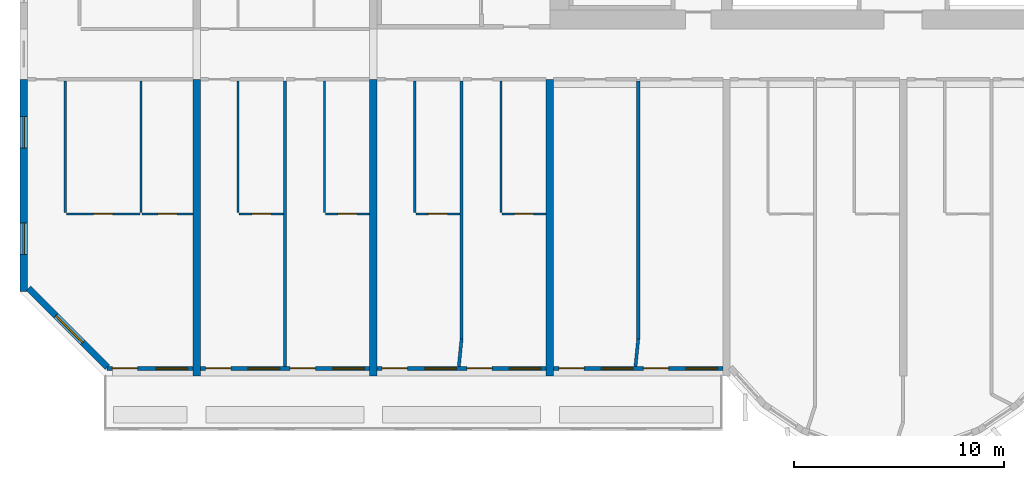
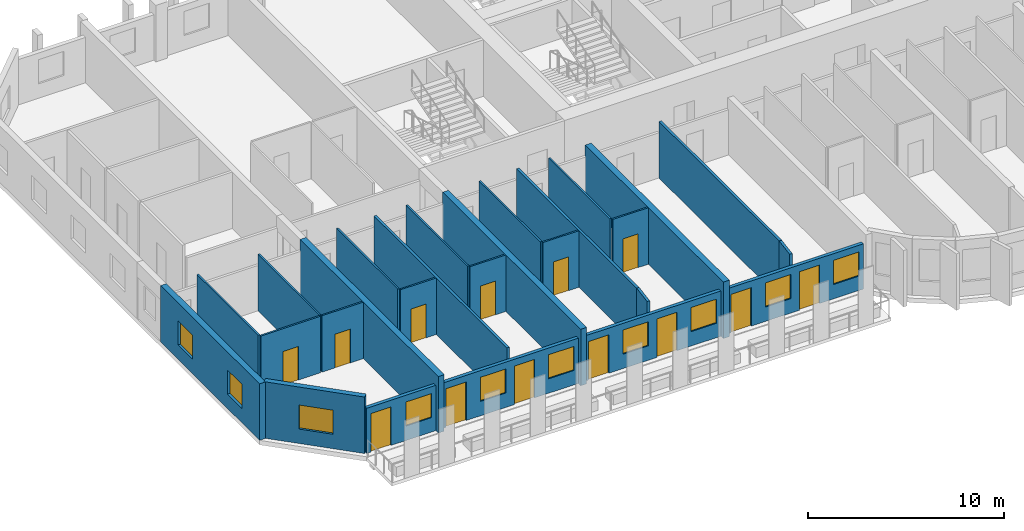
# One storey, part 2 of 14: 26 walls, 13 doors, 10 windows, 23 openings.
"""IFC4 building model written with IfcOpenShell, lengths in metres."""

from ifc_helpers import new_model, si_unit, direction, frame, frame_2d, origin, place, context, subcontext, project, spatial, rectangle, extrude, source, transform, mapped, material, layer, layer_set, type_object, element, fill, save


model = new_model("IFC4")

# Units and contexts
model_context = context("Model", 3, precision=1e-05, world=origin(), true_north=direction((0.0, 1.0)))
body_context = subcontext(model_context, "Body", "Model", "MODEL_VIEW")
ifc_project = project(units=[si_unit("LENGTHUNIT", "METRE"), si_unit("AREAUNIT", "SQUARE_METRE"), si_unit("VOLUMEUNIT", "CUBIC_METRE"), si_unit("PLANEANGLEUNIT", "RADIAN"), si_unit("MASSUNIT", "GRAM", prefix="KILO")], contexts=[model_context])

# Site, building, storey
site_placement = place(None, origin())
site = spatial("IfcSite", under=ifc_project, at=site_placement, CompositionType="ELEMENT")
building_placement = place(site_placement, origin())
building = spatial("IfcBuilding", under=site, at=building_placement, Name="Vanashikhar Sky Hotel", CompositionType="ELEMENT")
storey_placement = place(building_placement, frame((0.0, 0.0, 129.39990234375)))
storey = spatial("IfcBuildingStorey", under=building, at=storey_placement, Name="L31", CompositionType="ELEMENT", Elevation=129.39990234375)

# Wall, openings, windows
ifc_material_1 = material(Name="Concrete M70", Category="concrete")
ifc_layer_1 = layer(ifc_material_1, 0.35009765625)
ifc_layer_set_1 = layer_set([ifc_layer_1], Name="RC shear wall 350 Concrete M70")
wall_type_1 = type_object("IfcWallType", Name="RC shear wall 350 Concrete M70", PredefinedType="SHEAR", material=ifc_layer_set_1)
shared_shape_1 = source(origin(), body_context, "Body", "SweptSolid", [
    extrude(rectangle(XDim=10.10009765625, YDim=0.35009765625, at=frame_2d((5.050048828125, 0.0))), origin(), (0.0, 0.0, 1.0), 3.52001953125),
])
wall_1_placement = place(storey_placement, frame((0.175048828125, 9.5, 0.0), z_axis=(0.0, 0.0, 1.0), x_axis=(0.0, 1.0, 0.0)))
wall_1 = element("IfcWall", 1, at=wall_1_placement, inside=storey, type_object=wall_type_1, Name="CW-L31-XW01-1", PredefinedType="SHEAR", context=body_context, shape_type="MappedRepresentation", body=[
    mapped(shared_shape_1, transform((0.0, 0.0, 0.0), scale=1.0)),
])
shared_shape_2 = source(origin(), body_context, "Body", "SweptSolid", [
    extrude(rectangle(XDim=1.5, YDim=1.5, at=frame_2d((0.75, 0.75))), frame((0.0, 0.18505859375, 0.0), z_axis=(0.0, -1.0, 0.0), x_axis=(1.0, 0.0, 0.0)), (0.0, 0.0, 1.0), 0.3701171875),
])
opening_1_placement = place(wall_1_placement, frame((1.77490234375, 0.0, 0.89990234375)))
opening_1 = element("IfcOpeningElement", 2, at=opening_1_placement, cuts=wall_1, Name="Opening WN-1", PredefinedType="OPENING", context=body_context, shape_type="MappedRepresentation", body=[
    mapped(shared_shape_2, transform((0.0, 0.0, 0.0), scale=1.0)),
])
opening_2_placement = place(wall_1_placement, frame((6.824951171875, 0.0, 0.89990234375)))
opening_2 = element("IfcOpeningElement", 3, at=opening_2_placement, cuts=wall_1, Name="Opening WN-1", PredefinedType="OPENING", context=body_context, shape_type="MappedRepresentation", body=[
    mapped(shared_shape_2, transform((0.0, 0.0, 0.0), scale=1.0)),
])
ifc_material_2 = material(Name="Glass", Category="glass")
window_type_1 = type_object("IfcWindowType", Name="Window 1500 x 1500", PartitioningType="SINGLE_PANEL", PredefinedType="WINDOW", material=ifc_material_2)
shared_shape_3 = source(origin(), body_context, "Body", "SweptSolid", [
    extrude(rectangle(XDim=1.5, YDim=1.5, at=frame_2d((0.75, 0.75))), frame((0.0, 0.030029296875, 0.0), z_axis=(0.0, -1.0, 0.0), x_axis=(1.0, 0.0, 0.0)), (0.0, 0.0, 1.0), 0.06005859375),
])
window_1_placement = place(opening_1_placement, origin())
window_1 = element("IfcWindow", 4, at=window_1_placement, inside=storey, type_object=window_type_1, Name="Window WN-1", OverallHeight=1.5, OverallWidth=1.5, PartitioningType="SINGLE_PANEL", PredefinedType="WINDOW", context=body_context, shape_type="MappedRepresentation", body=[
    mapped(shared_shape_3, transform((0.0, 0.0, 0.0), scale=1.0)),
])
fill(opening_1, window_1)
window_2_placement = place(opening_2_placement, origin())
window_2 = element("IfcWindow", 5, at=window_2_placement, inside=storey, type_object=window_type_1, Name="Window WN-1", OverallHeight=1.5, OverallWidth=1.5, PartitioningType="SINGLE_PANEL", PredefinedType="WINDOW", context=body_context, shape_type="MappedRepresentation", body=[
    mapped(shared_shape_3, transform((0.0, 0.0, 0.0), scale=1.0)),
])
fill(opening_2, window_2)

# Walls
shared_shape_4 = source(origin(), body_context, "Body", "SweptSolid", [
    extrude(rectangle(XDim=14.10009765625, YDim=0.35009765625, at=frame_2d((7.050048828125, 0.0))), origin(), (0.0, 0.0, 1.0), 3.52001953125),
])
for number, where, z_axis, x_axis, name in (
    (6, (8.39990234375, 5.5, 0.0), (0.0, 0.0, 1.0), (0.0, 1.0, 0.0), "CW-L31-XW02-1"),
    (7, (16.800048828125, 5.5, 0.0), (0.0, 0.0, 1.0), (0.0, 1.0, 0.0), "CW-L31-XW03-1"),
    (8, (25.199951171875, 5.5, 0.0), (0.0, 0.0, 1.0), (0.0, 1.0, 0.0), "CW-L31-XW04-1"),
):
    element("IfcWall", number, at=place(storey_placement, frame(where, z_axis=z_axis, x_axis=x_axis)), inside=storey, type_object=wall_type_1, Name=name, PredefinedType="SHEAR", context=body_context, shape_type="MappedRepresentation", body=[
        mapped(shared_shape_4, transform((0.0, 0.0, 0.0), scale=1.0)),
    ])

# Wall, opening, window
ifc_material_3 = material(Name="Concrete M50", Category="concrete")
ifc_layer_2 = layer(ifc_material_3, 0.300048828125)
ifc_layer_set_2 = layer_set([ifc_layer_2], Name="Lobe wall 300")
wall_type_2 = type_object("IfcWallType", Name="Lobe wall 300", PredefinedType="SOLIDWALL", material=ifc_layer_set_2)
shared_shape_5 = source(origin(), body_context, "Body", "SweptSolid", [
    extrude(rectangle(XDim=5.32568359375, YDim=0.300048828125, at=frame_2d((2.662841796875, 0.0))), origin(), (0.0, 0.0, 1.0), 3.52001953125),
])
wall_2_placement = place(storey_placement, frame((0.39990234375, 9.665771484375, 0.0), z_axis=(0.0, 0.0, 1.0), x_axis=(0.707106781187, -0.707106781187, 0.0)))
wall_2 = element("IfcWall", 9, at=wall_2_placement, inside=storey, type_object=wall_type_2, Name="Corner wall", PredefinedType="SOLIDWALL", context=body_context, shape_type="MappedRepresentation", body=[
    mapped(shared_shape_5, transform((0.0, 0.0, 0.0), scale=1.0)),
])
shared_shape_6 = source(origin(), body_context, "Body", "SweptSolid", [
    extrude(rectangle(XDim=1.800048828125, YDim=1.5, at=frame_2d((0.89990234375, 0.75))), frame((0.0, 0.16015625, 0.0), z_axis=(0.0, -1.0, 0.0), x_axis=(1.0, 0.0, 0.0)), (0.0, 0.0, 1.0), 0.320068359375),
])
opening_3_placement = place(wall_2_placement, frame((1.853759765625, 0.0, 0.89990234375)))
opening_3 = element("IfcOpeningElement", 10, at=opening_3_placement, cuts=wall_2, Name="Opening WN-4", PredefinedType="OPENING", context=body_context, shape_type="MappedRepresentation", body=[
    mapped(shared_shape_6, transform((0.0, 0.0, 0.0), scale=1.0)),
])
window_type_2 = type_object("IfcWindowType", Name="Corner window 1800 x 1500", PartitioningType="SINGLE_PANEL", PredefinedType="WINDOW", material=ifc_material_2)
shared_shape_7 = source(origin(), body_context, "Body", "SweptSolid", [
    extrude(rectangle(XDim=1.800048828125, YDim=1.5, at=frame_2d((0.89990234375, 0.75))), frame((0.0, 0.030029296875, 0.0), z_axis=(0.0, -1.0, 0.0), x_axis=(1.0, 0.0, 0.0)), (0.0, 0.0, 1.0), 0.06005859375),
])
window_3_placement = place(opening_3_placement, origin())
window_3 = element("IfcWindow", 11, at=window_3_placement, inside=storey, type_object=window_type_2, Name="Window WN-4", OverallHeight=1.5, OverallWidth=1.800048828125, PartitioningType="SINGLE_PANEL", PredefinedType="WINDOW", context=body_context, shape_type="MappedRepresentation", body=[
    mapped(shared_shape_7, transform((0.0, 0.0, 0.0), scale=1.0)),
])
fill(opening_3, window_3)

# Wall, openings, window, door
ifc_layer_3 = layer(ifc_material_3, 0.199951171875)
ifc_layer_set_3 = layer_set([ifc_layer_3], Name="Front window wall 200")
wall_type_3 = type_object("IfcWallType", Name="Front window wall 200", PredefinedType="SOLIDWALL", material=ifc_layer_set_3)
shared_shape_8 = source(origin(), body_context, "Body", "SweptSolid", [
    extrude(rectangle(XDim=4.080078125, YDim=0.199951171875, at=frame_2d((2.0400390625, 0.0))), origin(), (0.0, 0.0, 1.0), 2.820068359375),
])
wall_3_placement = place(storey_placement, frame((4.14501953125, 5.85009765625, 0.0), z_axis=(0.0, 0.0, 1.0), x_axis=(1.0, 0.0, 0.0)))
wall_3 = element("IfcWall", 12, at=wall_3_placement, inside=storey, type_object=wall_type_3, Name="Front window wall", PredefinedType="SOLIDWALL", context=body_context, shape_type="MappedRepresentation", body=[
    mapped(shared_shape_8, transform((0.0, 0.0, 0.0), scale=1.0)),
])
shared_shape_9 = source(origin(), body_context, "Body", "SweptSolid", [
    extrude(rectangle(XDim=1.199951171875, YDim=2.39990234375, at=frame_2d((0.60009765625, 1.199951171875))), frame((0.0, 0.10986328125, 0.0), z_axis=(0.0, -1.0, 0.0), x_axis=(1.0, 0.0, 0.0)), (0.0, 0.0, 1.0), 0.219970703125),
])
opening_4_placement = place(wall_3_placement, frame((0.25, 0.0, 0.0)))
opening_4 = element("IfcOpeningElement", 13, at=opening_4_placement, cuts=wall_3, Name="Opening BD-01", PredefinedType="OPENING", context=body_context, shape_type="MappedRepresentation", body=[
    mapped(shared_shape_9, transform((0.0, 0.0, 0.0), scale=1.0)),
])
shared_shape_10 = source(origin(), body_context, "Body", "SweptSolid", [
    extrude(rectangle(XDim=1.5, YDim=1.5, at=frame_2d((0.75, 0.75))), frame((0.0, 0.10986328125, 0.0), z_axis=(0.0, -1.0, 0.0), x_axis=(1.0, 0.0, 0.0)), (0.0, 0.0, 1.0), 0.219970703125),
])
opening_5_placement = place(wall_3_placement, frame((2.330078125, 0.0, 0.89990234375)))
opening_5 = element("IfcOpeningElement", 14, at=opening_5_placement, cuts=wall_3, Name="Opening WN-1", PredefinedType="OPENING", context=body_context, shape_type="MappedRepresentation", body=[
    mapped(shared_shape_10, transform((0.0, 0.0, 0.0), scale=1.0)),
])
window_4_placement = place(opening_5_placement, origin())
window_4 = element("IfcWindow", 15, at=window_4_placement, inside=storey, type_object=window_type_1, Name="Window WN-1", OverallHeight=1.5, OverallWidth=1.5, PartitioningType="SINGLE_PANEL", PredefinedType="WINDOW", context=body_context, shape_type="MappedRepresentation", body=[
    mapped(shared_shape_3, transform((0.0, 0.0, 0.0), scale=1.0)),
])
fill(opening_5, window_4)
ifc_material_4 = material(Name="Aluminium", Category="aluminium")
door_type_1 = type_object("IfcDoorType", Name="Balcony sliding door 1200 x 2400", OperationType="NOTDEFINED", PredefinedType="DOOR", material=ifc_material_4)
shared_shape_11 = source(origin(), body_context, "Body", "SweptSolid", [
    extrude(rectangle(XDim=1.199951171875, YDim=2.39990234375, at=frame_2d((0.60009765625, 1.199951171875))), frame((0.0, 0.02490234375, 0.0), z_axis=(0.0, -1.0, 0.0), x_axis=(1.0, 0.0, 0.0)), (0.0, 0.0, 1.0), 0.050048828125),
])
door_1_placement = place(opening_4_placement, origin())
door_1 = element("IfcDoor", 16, at=door_1_placement, inside=storey, type_object=door_type_1, Name="Balcony sliding door", OperationType="SLIDING_TO_LEFT", OverallHeight=2.39990234375, OverallWidth=1.199951171875, PredefinedType="DOOR", context=body_context, shape_type="MappedRepresentation", body=[
    mapped(shared_shape_11, transform((0.0, 0.0, 0.0), scale=1.0)),
])
fill(opening_4, door_1)

# Wall, openings, windows, doors
shared_shape_12 = source(origin(), body_context, "Body", "SweptSolid", [
    extrude(rectangle(XDim=8.050048828125, YDim=0.199951171875, at=frame_2d((4.02490234375, 0.0))), origin(), (0.0, 0.0, 1.0), 2.820068359375),
])
wall_4_placement = place(storey_placement, frame((8.574951171875, 5.85009765625, 0.0), z_axis=(0.0, 0.0, 1.0), x_axis=(1.0, 0.0, 0.0)))
wall_4 = element("IfcWall", 17, at=wall_4_placement, inside=storey, type_object=wall_type_3, Name="Front window wall", PredefinedType="SOLIDWALL", context=body_context, shape_type="MappedRepresentation", body=[
    mapped(shared_shape_12, transform((0.0, 0.0, 0.0), scale=1.0)),
])
opening_6_placement = place(wall_4_placement, frame((0.25, 0.0, 0.0)))
opening_6 = element("IfcOpeningElement", 18, at=opening_6_placement, cuts=wall_4, Name="Opening BD-02", PredefinedType="OPENING", context=body_context, shape_type="MappedRepresentation", body=[
    mapped(shared_shape_9, transform((0.0, 0.0, 0.0), scale=1.0)),
])
opening_7_placement = place(wall_4_placement, frame((2.27490234375, 0.0, 0.89990234375)))
opening_7 = element("IfcOpeningElement", 19, at=opening_7_placement, cuts=wall_4, Name="Opening WN-1", PredefinedType="OPENING", context=body_context, shape_type="MappedRepresentation", body=[
    mapped(shared_shape_10, transform((0.0, 0.0, 0.0), scale=1.0)),
])
opening_8_placement = place(wall_4_placement, frame((4.27490234375, 0.0, 0.0)))
opening_8 = element("IfcOpeningElement", 20, at=opening_8_placement, cuts=wall_4, Name="Opening BD-03", PredefinedType="OPENING", context=body_context, shape_type="MappedRepresentation", body=[
    mapped(shared_shape_9, transform((0.0, 0.0, 0.0), scale=1.0)),
])
opening_9_placement = place(wall_4_placement, frame((6.300048828125, 0.0, 0.89990234375)))
opening_9 = element("IfcOpeningElement", 21, at=opening_9_placement, cuts=wall_4, Name="Opening WN-1", PredefinedType="OPENING", context=body_context, shape_type="MappedRepresentation", body=[
    mapped(shared_shape_10, transform((0.0, 0.0, 0.0), scale=1.0)),
])
window_5_placement = place(opening_7_placement, origin())
window_5 = element("IfcWindow", 22, at=window_5_placement, inside=storey, type_object=window_type_1, Name="Window WN-1", OverallHeight=1.5, OverallWidth=1.5, PartitioningType="SINGLE_PANEL", PredefinedType="WINDOW", context=body_context, shape_type="MappedRepresentation", body=[
    mapped(shared_shape_3, transform((0.0, 0.0, 0.0), scale=1.0)),
])
fill(opening_7, window_5)
window_6_placement = place(opening_9_placement, origin())
window_6 = element("IfcWindow", 23, at=window_6_placement, inside=storey, type_object=window_type_1, Name="Window WN-1", OverallHeight=1.5, OverallWidth=1.5, PartitioningType="SINGLE_PANEL", PredefinedType="WINDOW", context=body_context, shape_type="MappedRepresentation", body=[
    mapped(shared_shape_3, transform((0.0, 0.0, 0.0), scale=1.0)),
])
fill(opening_9, window_6)
door_2_placement = place(opening_6_placement, origin())
door_2 = element("IfcDoor", 24, at=door_2_placement, inside=storey, type_object=door_type_1, Name="Balcony sliding door", OperationType="SLIDING_TO_RIGHT", OverallHeight=2.39990234375, OverallWidth=1.199951171875, PredefinedType="DOOR", context=body_context, shape_type="MappedRepresentation", body=[
    mapped(shared_shape_11, transform((0.0, 0.0, 0.0), scale=1.0)),
])
fill(opening_6, door_2)
door_3_placement = place(opening_8_placement, origin())
door_3 = element("IfcDoor", 25, at=door_3_placement, inside=storey, type_object=door_type_1, Name="Balcony sliding door", OperationType="SLIDING_TO_LEFT", OverallHeight=2.39990234375, OverallWidth=1.199951171875, PredefinedType="DOOR", context=body_context, shape_type="MappedRepresentation", body=[
    mapped(shared_shape_11, transform((0.0, 0.0, 0.0), scale=1.0)),
])
fill(opening_8, door_3)

wall_5_placement = place(storey_placement, frame((25.375, 5.85009765625, 0.0), z_axis=(0.0, 0.0, 1.0), x_axis=(1.0, 0.0, 0.0)))
wall_5 = element("IfcWall", 26, at=wall_5_placement, inside=storey, type_object=wall_type_3, Name="Front window wall", PredefinedType="SOLIDWALL", context=body_context, shape_type="MappedRepresentation", body=[
    mapped(shared_shape_12, transform((0.0, 0.0, 0.0), scale=1.0)),
])
opening_10_placement = place(wall_5_placement, frame((0.25, 0.0, 0.0)))
opening_10 = element("IfcOpeningElement", 27, at=opening_10_placement, cuts=wall_5, Name="Opening BD-06", PredefinedType="OPENING", context=body_context, shape_type="MappedRepresentation", body=[
    mapped(shared_shape_9, transform((0.0, 0.0, 0.0), scale=1.0)),
])
opening_11_placement = place(wall_5_placement, frame((2.27490234375, 0.0, 0.89990234375)))
opening_11 = element("IfcOpeningElement", 28, at=opening_11_placement, cuts=wall_5, Name="Opening WN-1", PredefinedType="OPENING", context=body_context, shape_type="MappedRepresentation", body=[
    mapped(shared_shape_10, transform((0.0, 0.0, 0.0), scale=1.0)),
])
opening_12_placement = place(wall_5_placement, frame((4.27490234375, 0.0, 0.0)))
opening_12 = element("IfcOpeningElement", 29, at=opening_12_placement, cuts=wall_5, Name="Opening BD-07", PredefinedType="OPENING", context=body_context, shape_type="MappedRepresentation", body=[
    mapped(shared_shape_9, transform((0.0, 0.0, 0.0), scale=1.0)),
])
opening_13_placement = place(wall_5_placement, frame((6.300048828125, 0.0, 0.89990234375)))
opening_13 = element("IfcOpeningElement", 30, at=opening_13_placement, cuts=wall_5, Name="Opening WN-1", PredefinedType="OPENING", context=body_context, shape_type="MappedRepresentation", body=[
    mapped(shared_shape_10, transform((0.0, 0.0, 0.0), scale=1.0)),
])
window_7_placement = place(opening_11_placement, origin())
window_7 = element("IfcWindow", 31, at=window_7_placement, inside=storey, type_object=window_type_1, Name="Window WN-1", OverallHeight=1.5, OverallWidth=1.5, PartitioningType="SINGLE_PANEL", PredefinedType="WINDOW", context=body_context, shape_type="MappedRepresentation", body=[
    mapped(shared_shape_3, transform((0.0, 0.0, 0.0), scale=1.0)),
])
fill(opening_11, window_7)
window_8_placement = place(opening_13_placement, origin())
window_8 = element("IfcWindow", 32, at=window_8_placement, inside=storey, type_object=window_type_1, Name="Window WN-1", OverallHeight=1.5, OverallWidth=1.5, PartitioningType="SINGLE_PANEL", PredefinedType="WINDOW", context=body_context, shape_type="MappedRepresentation", body=[
    mapped(shared_shape_3, transform((0.0, 0.0, 0.0), scale=1.0)),
])
fill(opening_13, window_8)
door_4_placement = place(opening_10_placement, origin())
door_4 = element("IfcDoor", 33, at=door_4_placement, inside=storey, type_object=door_type_1, Name="Balcony sliding door", OperationType="SLIDING_TO_RIGHT", OverallHeight=2.39990234375, OverallWidth=1.199951171875, PredefinedType="DOOR", context=body_context, shape_type="MappedRepresentation", body=[
    mapped(shared_shape_11, transform((0.0, 0.0, 0.0), scale=1.0)),
])
fill(opening_10, door_4)
door_5_placement = place(opening_12_placement, origin())
door_5 = element("IfcDoor", 34, at=door_5_placement, inside=storey, type_object=door_type_1, Name="Balcony sliding door", OperationType="SLIDING_TO_LEFT", OverallHeight=2.39990234375, OverallWidth=1.199951171875, PredefinedType="DOOR", context=body_context, shape_type="MappedRepresentation", body=[
    mapped(shared_shape_11, transform((0.0, 0.0, 0.0), scale=1.0)),
])
fill(opening_12, door_5)

shared_shape_13 = source(origin(), body_context, "Body", "SweptSolid", [
    extrude(rectangle(XDim=8.0498046875, YDim=0.199951171875, at=frame_2d((4.02490234375, 0.0))), origin(), (0.0, 0.0, 1.0), 2.820068359375),
])
wall_6_placement = place(storey_placement, frame((16.97509765625, 5.85009765625, 0.0), z_axis=(0.0, 0.0, 1.0), x_axis=(1.0, 0.0, 0.0)))
wall_6 = element("IfcWall", 35, at=wall_6_placement, inside=storey, type_object=wall_type_3, Name="Front window wall", PredefinedType="SOLIDWALL", context=body_context, shape_type="MappedRepresentation", body=[
    mapped(shared_shape_13, transform((0.0, 0.0, 0.0), scale=1.0)),
])
opening_14_placement = place(wall_6_placement, frame((0.25, 0.0, 0.0)))
opening_14 = element("IfcOpeningElement", 36, at=opening_14_placement, cuts=wall_6, Name="Opening BD-04", PredefinedType="OPENING", context=body_context, shape_type="MappedRepresentation", body=[
    mapped(shared_shape_9, transform((0.0, 0.0, 0.0), scale=1.0)),
])
opening_15_placement = place(wall_6_placement, frame((2.27490234375, 0.0, 0.89990234375)))
opening_15 = element("IfcOpeningElement", 37, at=opening_15_placement, cuts=wall_6, Name="Opening WN-1", PredefinedType="OPENING", context=body_context, shape_type="MappedRepresentation", body=[
    mapped(shared_shape_10, transform((0.0, 0.0, 0.0), scale=1.0)),
])
opening_16_placement = place(wall_6_placement, frame((4.27490234375, 0.0, 0.0)))
opening_16 = element("IfcOpeningElement", 38, at=opening_16_placement, cuts=wall_6, Name="Opening BD-05", PredefinedType="OPENING", context=body_context, shape_type="MappedRepresentation", body=[
    mapped(shared_shape_9, transform((0.0, 0.0, 0.0), scale=1.0)),
])
opening_17_placement = place(wall_6_placement, frame((6.300048828125, 0.0, 0.89990234375)))
opening_17 = element("IfcOpeningElement", 39, at=opening_17_placement, cuts=wall_6, Name="Opening WN-1", PredefinedType="OPENING", context=body_context, shape_type="MappedRepresentation", body=[
    mapped(shared_shape_10, transform((0.0, 0.0, 0.0), scale=1.0)),
])
window_9_placement = place(opening_15_placement, origin())
window_9 = element("IfcWindow", 40, at=window_9_placement, inside=storey, type_object=window_type_1, Name="Window WN-1", OverallHeight=1.5, OverallWidth=1.5, PartitioningType="SINGLE_PANEL", PredefinedType="WINDOW", context=body_context, shape_type="MappedRepresentation", body=[
    mapped(shared_shape_3, transform((0.0, 0.0, 0.0), scale=1.0)),
])
fill(opening_15, window_9)
window_10_placement = place(opening_17_placement, origin())
window_10 = element("IfcWindow", 41, at=window_10_placement, inside=storey, type_object=window_type_1, Name="Window WN-1", OverallHeight=1.5, OverallWidth=1.5, PartitioningType="SINGLE_PANEL", PredefinedType="WINDOW", context=body_context, shape_type="MappedRepresentation", body=[
    mapped(shared_shape_3, transform((0.0, 0.0, 0.0), scale=1.0)),
])
fill(opening_17, window_10)
door_6_placement = place(opening_14_placement, origin())
door_6 = element("IfcDoor", 42, at=door_6_placement, inside=storey, type_object=door_type_1, Name="Balcony sliding door", OperationType="SLIDING_TO_RIGHT", OverallHeight=2.39990234375, OverallWidth=1.199951171875, PredefinedType="DOOR", context=body_context, shape_type="MappedRepresentation", body=[
    mapped(shared_shape_11, transform((0.0, 0.0, 0.0), scale=1.0)),
])
fill(opening_14, door_6)
door_7_placement = place(opening_16_placement, origin())
door_7 = element("IfcDoor", 43, at=door_7_placement, inside=storey, type_object=door_type_1, Name="Balcony sliding door", OperationType="SLIDING_TO_LEFT", OverallHeight=2.39990234375, OverallWidth=1.199951171875, PredefinedType="DOOR", context=body_context, shape_type="MappedRepresentation", body=[
    mapped(shared_shape_11, transform((0.0, 0.0, 0.0), scale=1.0)),
])
fill(opening_16, door_7)

# Wall, opening, door
ifc_material_5 = material(Name="Gypsum plasterboard partition")
ifc_layer_4 = layer(ifc_material_5, 0.10009765625)
ifc_layer_set_4 = layer_set([ifc_layer_4], Name="Wet room partition 100")
wall_type_4 = type_object("IfcWallType", Name="Wet room partition 100", PredefinedType="PARTITIONING", material=ifc_layer_set_4)
shared_shape_14 = source(origin(), body_context, "Body", "SweptSolid", [
    extrude(rectangle(XDim=3.5, YDim=0.10009765625, at=frame_2d((1.75, 0.0))), origin(), (0.0, 0.0, 1.0), 3.52001953125),
])
wall_7_placement = place(storey_placement, frame((2.199951171875, 13.199951171875, 0.0), z_axis=(0.0, 0.0, 1.0), x_axis=(1.0, 0.0, 0.0)))
wall_7 = element("IfcWall", 44, at=wall_7_placement, inside=storey, type_object=wall_type_4, Name="W-L31-PW003", PredefinedType="PARTITIONING", context=body_context, shape_type="MappedRepresentation", body=[
    mapped(shared_shape_14, transform((0.0, 0.0, 0.0), scale=1.0)),
])
shared_shape_15 = source(origin(), body_context, "Body", "SweptSolid", [
    extrude(rectangle(XDim=0.89990234375, YDim=2.10009765625, at=frame_2d((0.449951171875, 1.050048828125))), frame((0.0, 0.06005859375, 0.0), z_axis=(0.0, -1.0, 0.0), x_axis=(1.0, 0.0, 0.0)), (0.0, 0.0, 1.0), 0.1201171875),
])
opening_18_placement = place(wall_7_placement, frame((1.300048828125, 0.0, 0.0)))
opening_18 = element("IfcOpeningElement", 45, at=opening_18_placement, cuts=wall_7, Name="Opening D-02", PredefinedType="OPENING", context=body_context, shape_type="MappedRepresentation", body=[
    mapped(shared_shape_15, transform((0.0, 0.0, 0.0), scale=1.0)),
])
ifc_material_6 = material(Name="Timber door", Category="wood")
door_type_2 = type_object("IfcDoorType", Name="Internal door 900", OperationType="NOTDEFINED", PredefinedType="DOOR", material=ifc_material_6)
shared_shape_16 = source(origin(), body_context, "Body", "SweptSolid", [
    extrude(rectangle(XDim=0.89990234375, YDim=2.10009765625, at=frame_2d((0.449951171875, 1.050048828125))), frame((0.0, 0.02490234375, 0.0), z_axis=(0.0, -1.0, 0.0), x_axis=(1.0, 0.0, 0.0)), (0.0, 0.0, 1.0), 0.050048828125),
])
door_8_placement = place(opening_18_placement, origin())
door_8 = element("IfcDoor", 46, at=door_8_placement, inside=storey, type_object=door_type_2, Name="D-L31-001", OperationType="SINGLE_SWING_LEFT", OverallHeight=2.10009765625, OverallWidth=0.89990234375, PredefinedType="DOOR", context=body_context, shape_type="MappedRepresentation", body=[
    mapped(shared_shape_16, transform((0.0, 0.0, 0.0), scale=1.0)),
])
fill(opening_18, door_8)

# Walls
shared_shape_17 = source(origin(), body_context, "Body", "SweptSolid", [
    extrude(rectangle(XDim=6.25, YDim=0.10009765625, at=frame_2d((3.125, 0.0))), origin(), (0.0, 0.0, 1.0), 3.52001953125),
])
for number, where, z_axis, x_axis, name in (
    (47, (2.14990234375, 13.27490234375, 0.0), (0.0, 0.0, 1.0), (0.0, 1.0, 0.0), "W-L31-PW001"),
    (48, (5.75, 13.27490234375, 0.0), (0.0, 0.0, 1.0), (0.0, 1.0, 0.0), "W-L31-PW002"),
    (49, (10.375, 13.27490234375, 0.0), (0.0, 0.0, 1.0), (0.0, 1.0, 0.0), "W-L31-PW006"),
    (50, (14.47509765625, 13.27490234375, 0.0), (0.0, 0.0, 1.0), (0.0, 1.0, 0.0), "W-L31-PW009"),
    (51, (18.77490234375, 13.27490234375, 0.0), (0.0, 0.0, 1.0), (0.0, 1.0, 0.0), "W-L31-PW013"),
    (52, (22.875, 13.27490234375, 0.0), (0.0, 0.0, 1.0), (0.0, 1.0, 0.0), "W-L31-PW016"),
):
    element("IfcWall", number, at=place(storey_placement, frame(where, z_axis=z_axis, x_axis=x_axis)), inside=storey, type_object=wall_type_4, Name=name, PredefinedType="PARTITIONING", context=body_context, shape_type="MappedRepresentation", body=[
        mapped(shared_shape_17, transform((0.0, 0.0, 0.0), scale=1.0)),
    ])

# Wall, opening, door
shared_shape_18 = source(origin(), body_context, "Body", "SweptSolid", [
    extrude(rectangle(XDim=2.10009765625, YDim=0.10009765625, at=frame_2d((1.050048828125, 0.0))), origin(), (0.0, 0.0, 1.0), 3.52001953125),
])
wall_8_placement = place(storey_placement, frame((14.52490234375, 13.199951171875, 0.0), z_axis=(0.0, 0.0, 1.0), x_axis=(1.0, 0.0, 0.0)))
wall_8 = element("IfcWall", 53, at=wall_8_placement, inside=storey, type_object=wall_type_4, Name="W-L31-PW010", PredefinedType="PARTITIONING", context=body_context, shape_type="MappedRepresentation", body=[
    mapped(shared_shape_18, transform((0.0, 0.0, 0.0), scale=1.0)),
])
opening_19_placement = place(wall_8_placement, frame((0.60009765625, 0.0, 0.0)))
opening_19 = element("IfcOpeningElement", 54, at=opening_19_placement, cuts=wall_8, Name="Opening D-02", PredefinedType="OPENING", context=body_context, shape_type="MappedRepresentation", body=[
    mapped(shared_shape_15, transform((0.0, 0.0, 0.0), scale=1.0)),
])
door_9_placement = place(opening_19_placement, origin())
door_9 = element("IfcDoor", 55, at=door_9_placement, inside=storey, type_object=door_type_2, Name="D-L31-006", OperationType="SINGLE_SWING_LEFT", OverallHeight=2.10009765625, OverallWidth=0.89990234375, PredefinedType="DOOR", context=body_context, shape_type="MappedRepresentation", body=[
    mapped(shared_shape_16, transform((0.0, 0.0, 0.0), scale=1.0)),
])
fill(opening_19, door_9)

wall_9_placement = place(storey_placement, frame((18.824951171875, 13.199951171875, 0.0), z_axis=(0.0, 0.0, 1.0), x_axis=(1.0, 0.0, 0.0)))
wall_9 = element("IfcWall", 56, at=wall_9_placement, inside=storey, type_object=wall_type_4, Name="W-L31-PW014", PredefinedType="PARTITIONING", context=body_context, shape_type="MappedRepresentation", body=[
    mapped(shared_shape_18, transform((0.0, 0.0, 0.0), scale=1.0)),
])
opening_20_placement = place(wall_9_placement, frame((0.60009765625, 0.0, 0.0)))
opening_20 = element("IfcOpeningElement", 57, at=opening_20_placement, cuts=wall_9, Name="Opening D-02", PredefinedType="OPENING", context=body_context, shape_type="MappedRepresentation", body=[
    mapped(shared_shape_15, transform((0.0, 0.0, 0.0), scale=1.0)),
])
door_10_placement = place(opening_20_placement, origin())
door_10 = element("IfcDoor", 58, at=door_10_placement, inside=storey, type_object=door_type_2, Name="D-L31-008", OperationType="SINGLE_SWING_LEFT", OverallHeight=2.10009765625, OverallWidth=0.89990234375, PredefinedType="DOOR", context=body_context, shape_type="MappedRepresentation", body=[
    mapped(shared_shape_16, transform((0.0, 0.0, 0.0), scale=1.0)),
])
fill(opening_20, door_10)

shared_shape_19 = source(origin(), body_context, "Body", "SweptSolid", [
    extrude(rectangle(XDim=2.099853515625, YDim=0.10009765625, at=frame_2d((1.0498046875, 0.0))), origin(), (0.0, 0.0, 1.0), 3.52001953125),
])
wall_10_placement = place(storey_placement, frame((10.425048828125, 13.199951171875, 0.0), z_axis=(0.0, 0.0, 1.0), x_axis=(1.0, 0.0, 0.0)))
wall_10 = element("IfcWall", 59, at=wall_10_placement, inside=storey, type_object=wall_type_4, Name="W-L31-PW007", PredefinedType="PARTITIONING", context=body_context, shape_type="MappedRepresentation", body=[
    mapped(shared_shape_19, transform((0.0, 0.0, 0.0), scale=1.0)),
])
opening_21_placement = place(wall_10_placement, frame((0.60009765625, 0.0, 0.0)))
opening_21 = element("IfcOpeningElement", 60, at=opening_21_placement, cuts=wall_10, Name="Opening D-02", PredefinedType="OPENING", context=body_context, shape_type="MappedRepresentation", body=[
    mapped(shared_shape_15, transform((0.0, 0.0, 0.0), scale=1.0)),
])
door_11_placement = place(opening_21_placement, origin())
door_11 = element("IfcDoor", 61, at=door_11_placement, inside=storey, type_object=door_type_2, Name="D-L31-004", OperationType="SINGLE_SWING_LEFT", OverallHeight=2.10009765625, OverallWidth=0.89990234375, PredefinedType="DOOR", context=body_context, shape_type="MappedRepresentation", body=[
    mapped(shared_shape_16, transform((0.0, 0.0, 0.0), scale=1.0)),
])
fill(opening_21, door_11)

wall_11_placement = place(storey_placement, frame((22.925048828125, 13.199951171875, 0.0), z_axis=(0.0, 0.0, 1.0), x_axis=(1.0, 0.0, 0.0)))
wall_11 = element("IfcWall", 62, at=wall_11_placement, inside=storey, type_object=wall_type_4, Name="W-L31-PW017", PredefinedType="PARTITIONING", context=body_context, shape_type="MappedRepresentation", body=[
    mapped(shared_shape_19, transform((0.0, 0.0, 0.0), scale=1.0)),
])
opening_22_placement = place(wall_11_placement, frame((0.60009765625, 0.0, 0.0)))
opening_22 = element("IfcOpeningElement", 63, at=opening_22_placement, cuts=wall_11, Name="Opening D-02", PredefinedType="OPENING", context=body_context, shape_type="MappedRepresentation", body=[
    mapped(shared_shape_15, transform((0.0, 0.0, 0.0), scale=1.0)),
])
door_12_placement = place(opening_22_placement, origin())
door_12 = element("IfcDoor", 64, at=door_12_placement, inside=storey, type_object=door_type_2, Name="D-L31-010", OperationType="SINGLE_SWING_LEFT", OverallHeight=2.10009765625, OverallWidth=0.89990234375, PredefinedType="DOOR", context=body_context, shape_type="MappedRepresentation", body=[
    mapped(shared_shape_16, transform((0.0, 0.0, 0.0), scale=1.0)),
])
fill(opening_22, door_12)

# Walls
ifc_layer_5 = layer(ifc_material_5, 0.14990234375)
ifc_layer_set_5 = layer_set([ifc_layer_5], Name="Corridor and demising partition 150")
wall_type_5 = type_object("IfcWallType", Name="Corridor and demising partition 150", PredefinedType="PARTITIONING", material=ifc_layer_set_5)
shared_shape_20 = source(origin(), body_context, "Body", "SweptSolid", [
    extrude(rectangle(XDim=12.27490234375, YDim=0.14990234375, at=frame_2d((6.137451171875, 0.0))), origin(), (0.0, 0.0, 1.0), 3.52001953125),
])
for number, where, z_axis, x_axis, name in (
    (65, (21.0, 7.25, 0.0), (0.0, 0.0, 1.0), (0.0, 1.0, 0.0), "W-L31-PW019"),
    (66, (29.39990234375, 7.25, 0.0), (0.0, 0.0, 1.0), (0.0, 1.0, 0.0), "W-L31-PW022"),
):
    element("IfcWall", number, at=place(storey_placement, frame(where, z_axis=z_axis, x_axis=x_axis)), inside=storey, type_object=wall_type_5, Name=name, PredefinedType="PARTITIONING", context=body_context, shape_type="MappedRepresentation", body=[
        mapped(shared_shape_20, transform((0.0, 0.0, 0.0), scale=1.0)),
    ])
shared_shape_21 = source(origin(), body_context, "Body", "SweptSolid", [
    extrude(rectangle(XDim=1.306640625, YDim=0.14990234375, at=frame_2d((0.6533203125, 0.0))), origin(), (0.0, 0.0, 1.0), 3.52001953125),
])
for number, where, z_axis, x_axis, name in (
    (67, (20.8701171875, 5.949951171875, 0.0), (0.0, 0.0, 1.0), (0.099411212066, 0.995046436562, 0.0), "W-L31-PW019B0"),
    (68, (29.27001953125, 5.949951171875, 0.0), (0.0, 0.0, 1.0), (0.099411212066, 0.995046436562, 0.0), "W-L31-PW022B0"),
):
    element("IfcWall", number, at=place(storey_placement, frame(where, z_axis=z_axis, x_axis=x_axis)), inside=storey, type_object=wall_type_5, Name=name, PredefinedType="PARTITIONING", context=body_context, shape_type="MappedRepresentation", body=[
        mapped(shared_shape_21, transform((0.0, 0.0, 0.0), scale=1.0)),
    ])
shared_shape_22 = source(origin(), body_context, "Body", "SweptSolid", [
    extrude(rectangle(XDim=13.574951171875, YDim=0.14990234375, at=frame_2d((6.78759765625, 0.0))), origin(), (0.0, 0.0, 1.0), 3.52001953125),
])
wall_12_placement = place(storey_placement, frame((12.60009765625, 5.949951171875, 0.0), z_axis=(0.0, 0.0, 1.0), x_axis=(0.0, 1.0, 0.0)))
element("IfcWall", 69, at=wall_12_placement, inside=storey, type_object=wall_type_5, Name="W-L31-PW012", PredefinedType="PARTITIONING", context=body_context, shape_type="MappedRepresentation", body=[
    mapped(shared_shape_22, transform((0.0, 0.0, 0.0), scale=1.0)),
])

# Wall, opening, door
shared_shape_23 = source(origin(), body_context, "Body", "SweptSolid", [
    extrude(rectangle(XDim=2.425048828125, YDim=0.10009765625, at=frame_2d((1.21240234375, 0.0))), origin(), (0.0, 0.0, 1.0), 3.52001953125),
])
wall_13_placement = place(storey_placement, frame((5.800048828125, 13.199951171875, 0.0), z_axis=(0.0, 0.0, 1.0), x_axis=(1.0, 0.0, 0.0)))
wall_13 = element("IfcWall", 70, at=wall_13_placement, inside=storey, type_object=wall_type_4, Name="W-L31-PW004", PredefinedType="PARTITIONING", context=body_context, shape_type="MappedRepresentation", body=[
    mapped(shared_shape_23, transform((0.0, 0.0, 0.0), scale=1.0)),
])
opening_23_placement = place(wall_13_placement, frame((0.761962890625, 0.0, 0.0)))
opening_23 = element("IfcOpeningElement", 71, at=opening_23_placement, cuts=wall_13, Name="Opening D-02", PredefinedType="OPENING", context=body_context, shape_type="MappedRepresentation", body=[
    mapped(shared_shape_15, transform((0.0, 0.0, 0.0), scale=1.0)),
])
door_13_placement = place(opening_23_placement, origin())
door_13 = element("IfcDoor", 72, at=door_13_placement, inside=storey, type_object=door_type_2, Name="D-L31-002", OperationType="SINGLE_SWING_LEFT", OverallHeight=2.10009765625, OverallWidth=0.89990234375, PredefinedType="DOOR", context=body_context, shape_type="MappedRepresentation", body=[
    mapped(shared_shape_16, transform((0.0, 0.0, 0.0), scale=1.0)),
])
fill(opening_23, door_13)

save(model, "model.ifc")
